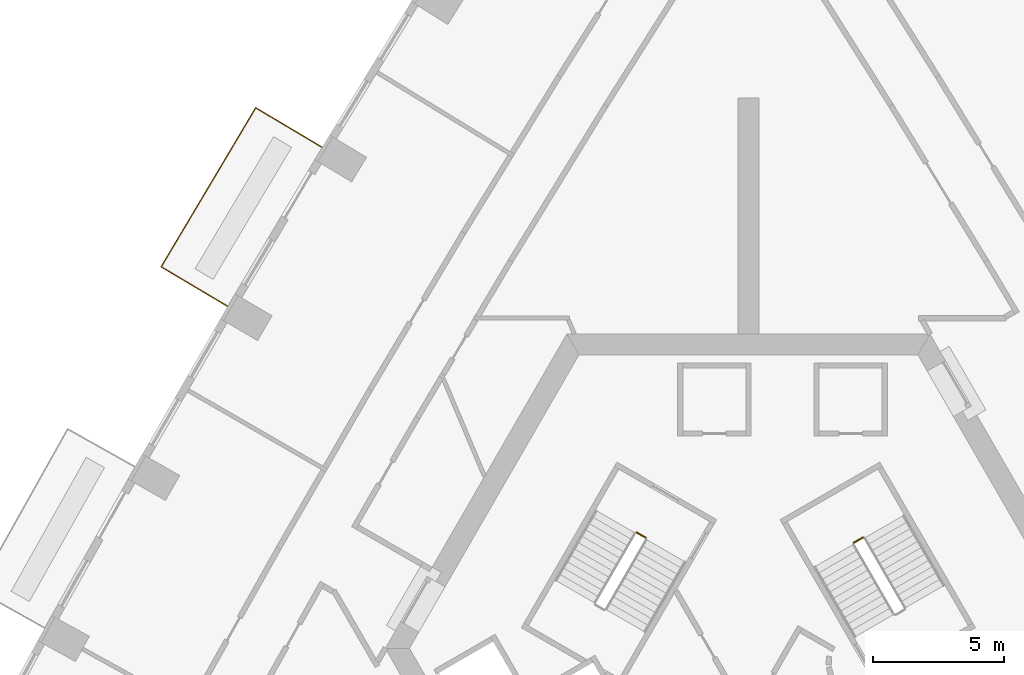
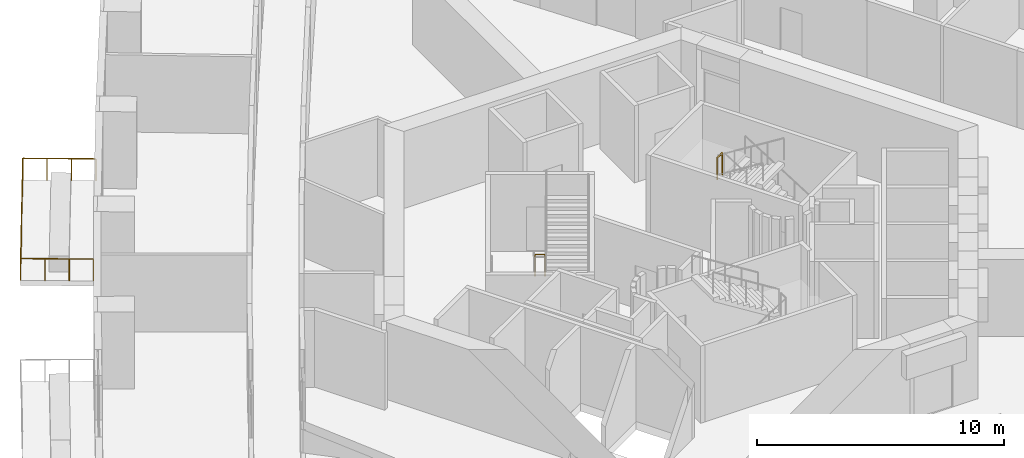
# One storey, part 14 of 15: 3 railings.
"""IFC4 building model written with IfcOpenShell, lengths in metres."""

import ifcopenshell
import ifcopenshell.guid

model = None  # the IFC model being written
_history = None  # IfcOwnerHistory: only IFC2X3 demands one
_inside = {}  # id of a spatial element -> (the spatial element, [elements in it])
_under = {}  # id of a project, library or spatial element -> (it, [spatial elements below it])
_declared = {}  # id of a project -> (the project, [libraries it declares])
_typed = {}  # id of a type object -> (the type object, [elements of that type])
_made_of = {}  # id of a material, layer set ... -> (it, [elements and type objects made of it])


def new_model(schema):
    """Start an empty IFC model of exactly this schema.

    Asked for "IFC4X3", IfcOpenShell would pick the latest addendum, in which some entities
    have other attributes; the version numbers below select the first issue.
    IFC2X3 requires an IfcOwnerHistory on every rooted entity: one is made here for all.
    """
    global model, _history
    if schema == "IFC4X3":
        model = ifcopenshell.file(schema_version=(4, 3, 0, 0))
    else:
        model = ifcopenshell.file(schema=schema)
    _inside.clear()
    _under.clear()
    _declared.clear()
    _typed.clear()
    _made_of.clear()
    _history = None
    if model.schema == "IFC2X3":
        org = make("IfcOrganization", Name="unknown")
        user = make(
            "IfcPersonAndOrganization",
            ThePerson=make("IfcPerson", FamilyName="unknown"),
            TheOrganization=org,
        )
        app = make(
            "IfcApplication",
            ApplicationDeveloper=org,
            Version="unknown",
            ApplicationFullName="unknown",
            ApplicationIdentifier="unknown",
        )
        _history = make(
            "IfcOwnerHistory",
            OwningUser=user,
            OwningApplication=app,
            ChangeAction="ADDED",
            CreationDate=0,
        )
    return model


def make(cls, **values):
    """One entity of the class cls with the attributes given. An attribute that is None is left unset."""
    return model.create_entity(
        cls, **{name: value for name, value in values.items() if value is not None}
    )


def rooted(cls, **values):
    """An entity with a GlobalId (a new one), such as an element, a storey or a relation."""
    return make(cls, GlobalId=ifcopenshell.guid.new(), OwnerHistory=_history, **values)


def si_unit(unit_type, name, prefix=None):
    """IfcSIUnit, for example si_unit("LENGTHUNIT", "METRE", prefix="MILLI")."""
    return make("IfcSIUnit", UnitType=unit_type, Prefix=prefix, Name=name)


def assignment(units):
    """IfcUnitAssignment: the units of a project."""
    return None if units is None else make("IfcUnitAssignment", Units=units)


def point(xyz):
    """IfcCartesianPoint."""
    return None if xyz is None else make("IfcCartesianPoint", Coordinates=xyz)


def direction(xyz):
    """IfcDirection."""
    return None if xyz is None else make("IfcDirection", DirectionRatios=xyz)


def frame(location, z_axis=None, x_axis=None):
    """IfcAxis2Placement3D, a coordinate frame: its origin and axes. An axis left out is left unset."""
    return make(
        "IfcAxis2Placement3D",
        Location=point(location),
        Axis=direction(z_axis),
        RefDirection=direction(x_axis),
    )


def frame_2d(location, x_axis=None):
    """IfcAxis2Placement2D, a coordinate frame in the plane: its origin and x axis."""
    return make(
        "IfcAxis2Placement2D", Location=point(location), RefDirection=direction(x_axis)
    )


def origin():
    """The frame at (0, 0, 0) with its axes left unset."""
    return frame((0.0, 0.0, 0.0))


def origin_2d():
    """The frame at (0, 0) in the plane with its x axis left unset."""
    return frame_2d((0.0, 0.0))


def place(relative_to, where):
    """IfcLocalPlacement: puts the frame where relative to a parent placement (None: the world)."""
    return make(
        "IfcLocalPlacement", PlacementRelTo=relative_to, RelativePlacement=where
    )


def context(
    kind, dimensions, precision=None, world=None, true_north=None, identifier=None
):
    """IfcGeometricRepresentationContext, for example the 3D "Model" context."""
    return make(
        "IfcGeometricRepresentationContext",
        ContextIdentifier=identifier,
        ContextType=kind,
        CoordinateSpaceDimension=dimensions,
        Precision=precision,
        WorldCoordinateSystem=world,
        TrueNorth=true_north,
    )


def subcontext(parent, identifier, kind, view, scale=None):
    """IfcGeometricRepresentationSubContext, for example "Body" below "Model"."""
    return make(
        "IfcGeometricRepresentationSubContext",
        ContextIdentifier=identifier,
        ContextType=kind,
        ParentContext=parent,
        TargetScale=scale,
        TargetView=view,
    )


def project(units=None, contexts=None):
    """IfcProject with its units and contexts."""
    return rooted(
        "IfcProject",
        Name="project",
        RepresentationContexts=contexts,
        UnitsInContext=assignment(units),
    )


def spatial(cls, under=None, at=None, **own):
    """A site, building, storey or space (cls), placed at a placement, below another one or the project."""
    s = rooted(cls, ObjectPlacement=at, **own)
    if under is not None:
        _under.setdefault(under.id(), (under, []))[1].append(s)
    return s


def profile(cls, at=None, kind="AREA", **sizes):
    """A parametric profile (cls). Its sizes go by their IFC names, for example OverallWidth=200.0."""
    return make(cls, ProfileType=kind, Position=at, **sizes)


def circle(**sizes):
    """IfcCircleProfileDef."""
    return profile("IfcCircleProfileDef", **sizes)


def extrude(swept, where, along, depth):
    """IfcExtrudedAreaSolid: the profile swept, set in the frame where, extruded along a direction by depth."""
    return make(
        "IfcExtrudedAreaSolid",
        SweptArea=swept,
        Position=where,
        ExtrudedDirection=direction(along),
        Depth=depth,
    )


def shape(context_of_items, identifier, shape_type, items):
    """IfcShapeRepresentation: the items that make up one representation, for example the "Body"."""
    return make(
        "IfcShapeRepresentation",
        ContextOfItems=context_of_items,
        RepresentationIdentifier=identifier,
        RepresentationType=shape_type,
        Items=items,
    )


def material(Name=None, Category=None):
    """IfcMaterial."""
    return make("IfcMaterial", Name=Name, Category=Category)


def made_of(thing, what):
    """Note that an element or type object is made of a material, layer set ...; save() writes the relation."""
    if what is not None:
        _made_of.setdefault(what.id(), (what, []))[1].append(thing)
    return thing


def type_object(cls, material=None, **own):
    """A type object (cls), such as IfcWallType, which elements share."""
    return made_of(rooted(cls, **own), material)


def element(
    cls,
    number,
    at=None,
    inside=None,
    cuts=None,
    type_object=None,
    material=None,
    context=None,
    identifier="Body",
    shape_type=None,
    held_by="IfcProductDefinitionShape",
    body=None,
    shapes=None,
    **own,
):
    """One element of the class cls, such as IfcWall. Its Tag is "e" and its number.

    at: its placement. inside: the storey or other place that contains it. cuts: it is an
    opening in that element (IfcRelVoidsElement). A single representation is given by context,
    identifier, shape_type and body (its items); several are given by shapes. held_by: the class
    of the entity that holds the representations. save() writes the other relations.
    """
    e = rooted(cls, Tag="e%d" % number, ObjectPlacement=at, **own)
    if body is not None:
        shapes = [shape(context, identifier, shape_type, body)]
    if shapes is not None:
        e.Representation = make(held_by, Representations=shapes)
    if inside is not None:
        _inside.setdefault(inside.id(), (inside, []))[1].append(e)
    if cuts is not None:
        rooted(
            "IfcRelVoidsElement", RelatingBuildingElement=cuts, RelatedOpeningElement=e
        )
    if type_object is not None:
        _typed.setdefault(type_object.id(), (type_object, []))[1].append(e)
    return made_of(e, material)


def aggregate(whole, parts):
    """IfcRelAggregates: a whole, such as a stair, and the parts it consists of."""
    return rooted("IfcRelAggregates", RelatingObject=whole, RelatedObjects=parts)


def save(model, path):
    """Write the relations noted so far, then the file.

    IfcRelAggregates (storeys below a building ...), IfcRelContainedInSpatialStructure (elements
    in a storey), IfcRelDefinesByType, IfcRelAssociatesMaterial and IfcRelDeclares: one each for
    every whole, place, type object, material and project.
    """
    for whole, parts in _under.values():
        aggregate(whole, parts)
    for where, things in _inside.values():
        rooted(
            "IfcRelContainedInSpatialStructure",
            RelatedElements=things,
            RelatingStructure=where,
        )
    for kind, things in _typed.values():
        rooted("IfcRelDefinesByType", RelatedObjects=things, RelatingType=kind)
    for what, things in _made_of.values():
        rooted("IfcRelAssociatesMaterial", RelatedObjects=things, RelatingMaterial=what)
    for by, libraries in _declared.values():
        rooted("IfcRelDeclares", RelatingContext=by, RelatedDefinitions=libraries)
    model.write(path)


model = new_model("IFC4")

# Units and contexts
model_context = context("Model", 3, precision=1e-05, world=origin(), true_north=direction((0.0, 1.0)))
body_context = subcontext(model_context, "Body", "Model", "MODEL_VIEW")
ifc_project = project(units=[si_unit("LENGTHUNIT", "METRE"), si_unit("AREAUNIT", "SQUARE_METRE"), si_unit("VOLUMEUNIT", "CUBIC_METRE"), si_unit("PLANEANGLEUNIT", "RADIAN"), si_unit("MASSUNIT", "GRAM", prefix="KILO")], contexts=[model_context])

# Site, building, storey
site_placement = place(None, origin())
site = spatial("IfcSite", under=ifc_project, at=site_placement, CompositionType="ELEMENT")
building_placement = place(site_placement, origin())
building = spatial("IfcBuilding", under=site, at=building_placement, Name="Entoto Arch Interchange Tower", CompositionType="ELEMENT")
storey_placement = place(building_placement, frame((0.0, 0.0, 171.800048828125)))
storey = spatial("IfcBuildingStorey", under=building, at=storey_placement, Name="L38", CompositionType="ELEMENT", Elevation=171.800048828125)

# Railings
ifc_material = material(Name="Stainless steel 1.4301", Category="steel")
railing_type_1 = type_object("IfcRailingType", Name="GUARD 1100 STEEL AND GLASS", PredefinedType="GUARDRAIL", material=ifc_material)
railing_1_placement = place(storey_placement, frame((-16.26611328125, 21.6240234375, 0.0)))
element("IfcRailing", 1, at=railing_1_placement, inside=storey, type_object=railing_type_1, Name="Balcony guard NW-03 L38", PredefinedType="GUARDRAIL", context=body_context, shape_type="SweptSolid", body=[
    extrude(circle(Radius=0.02392578125, at=origin_2d()), frame((0.0, 0.0, 1.076171875), z_axis=(-0.859646901656, 0.510888641949, 0.0), x_axis=(-0.510888641949, -0.859646901656, 0.0)), (0.0, 0.0, 1.0), 2.949951171875),
    extrude(circle(Radius=0.02392578125, at=origin_2d()), frame((-2.535888671875, 1.507080078125, 1.076171875), z_axis=(-0.510978756975, -0.859593339853, 0.0), x_axis=(0.859593339853, -0.510978756975, 0.0)), (0.0, 0.0, 1.0), 7.062744140625),
    extrude(circle(Radius=0.02392578125, at=origin_2d()), frame((-6.144775390625, -4.56396484375, 1.076171875), z_axis=(0.859646901656, -0.510888641949, 0.0), x_axis=(0.510888641949, 0.859646901656, 0.0)), (0.0, 0.0, 1.0), 2.949951171875),
    extrude(circle(Radius=0.02099609375, at=origin_2d()), origin(), (0.0, 0.0, 1.0), 1.052001953125),
    extrude(circle(Radius=0.02099609375, at=origin_2d()), frame((-0.84521484375, 0.50244140625, 0.0)), (0.0, 0.0, 1.0), 1.052001953125),
    extrude(circle(Radius=0.02099609375, at=origin_2d()), frame((-1.690673828125, 1.004638671875, 0.0)), (0.0, 0.0, 1.0), 1.052001953125),
    extrude(circle(Radius=0.02099609375, at=origin_2d()), frame((-2.535888671875, 1.507080078125, 0.0)), (0.0, 0.0, 1.0), 1.052001953125),
    extrude(circle(Radius=0.02099609375, at=origin_2d()), frame((-3.137451171875, 0.4951171875, 0.0)), (0.0, 0.0, 1.0), 1.052001953125),
    extrude(circle(Radius=0.02099609375, at=origin_2d()), frame((-3.73876953125, -0.5166015625, 0.0)), (0.0, 0.0, 1.0), 1.052001953125),
    extrude(circle(Radius=0.02099609375, at=origin_2d()), frame((-4.34033203125, -1.5283203125, 0.0)), (0.0, 0.0, 1.0), 1.052001953125),
    extrude(circle(Radius=0.02099609375, at=origin_2d()), frame((-4.94189453125, -2.540283203125, 0.0)), (0.0, 0.0, 1.0), 1.052001953125),
    extrude(circle(Radius=0.02099609375, at=origin_2d()), frame((-5.543212890625, -3.55224609375, 0.0)), (0.0, 0.0, 1.0), 1.052001953125),
    extrude(circle(Radius=0.02099609375, at=origin_2d()), frame((-6.144775390625, -4.56396484375, 0.0)), (0.0, 0.0, 1.0), 1.052001953125),
    extrude(circle(Radius=0.02099609375, at=origin_2d()), frame((-5.299560546875, -5.06640625, 0.0)), (0.0, 0.0, 1.0), 1.052001953125),
    extrude(circle(Radius=0.02099609375, at=origin_2d()), frame((-4.4541015625, -5.568603515625, 0.0)), (0.0, 0.0, 1.0), 1.052001953125),
    extrude(circle(Radius=0.02099609375, at=origin_2d()), frame((-3.60888671875, -6.071044921875, 0.0)), (0.0, 0.0, 1.0), 1.052001953125),
])
railing_type_2 = type_object("IfcRailingType", Name="STAIR GUARD 1100 STEEL", PredefinedType="GUARDRAIL", material=ifc_material)
railing_2_placement = place(storey_placement, frame((4.36962890625, 6.731689453125, 2.099853515625)))
element("IfcRailing", 2, at=railing_2_placement, inside=storey, type_object=railing_type_2, Name="L38 ST-NE stair guard 2", PredefinedType="GUARDRAIL", context=body_context, shape_type="SweptSolid", body=[
    extrude(circle(Radius=0.02392578125, at=origin_2d()), frame((0.0, 0.0, 1.076171875), z_axis=(-0.866094119867, -0.499880961361, 0.0), x_axis=(0.499880961361, -0.866094119867, 0.0)), (0.0, 0.0, 1.0), 0.39990234375),
    extrude(circle(Radius=0.02099609375, at=origin_2d()), origin(), (0.0, 0.0, 1.0), 1.052001953125),
    extrude(circle(Radius=0.02099609375, at=origin_2d()), frame((-0.346435546875, -0.199951171875, 0.0)), (0.0, 0.0, 1.0), 1.052001953125),
])
railing_3_placement = place(storey_placement, frame((-4.259521484375, 6.92236328125, 0.0)))
element("IfcRailing", 3, at=railing_3_placement, inside=storey, type_object=railing_type_2, Name="L38 ST-NW stair guard 4", PredefinedType="GUARDRAIL", context=body_context, shape_type="SweptSolid", body=[
    extrude(circle(Radius=0.02392578125, at=origin_2d()), frame((0.0, 0.0, 1.076171875), z_axis=(0.865829829939, -0.500338590944, 0.0), x_axis=(0.500338590944, 0.865829829939, 0.0)), (0.0, 0.0, 1.0), 0.400146484375),
    extrude(circle(Radius=0.02099609375, at=origin_2d()), origin(), (0.0, 0.0, 1.0), 1.052001953125),
    extrude(circle(Radius=0.02099609375, at=origin_2d()), frame((0.346435546875, -0.2001953125, 0.0)), (0.0, 0.0, 1.0), 1.052001953125),
])

save(model, "model.ifc")
